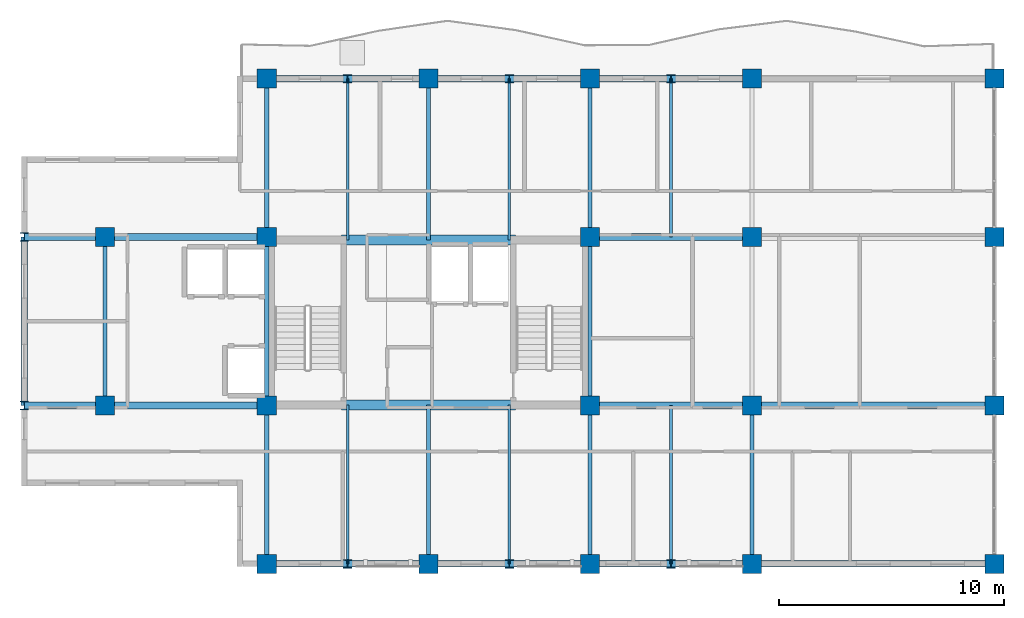
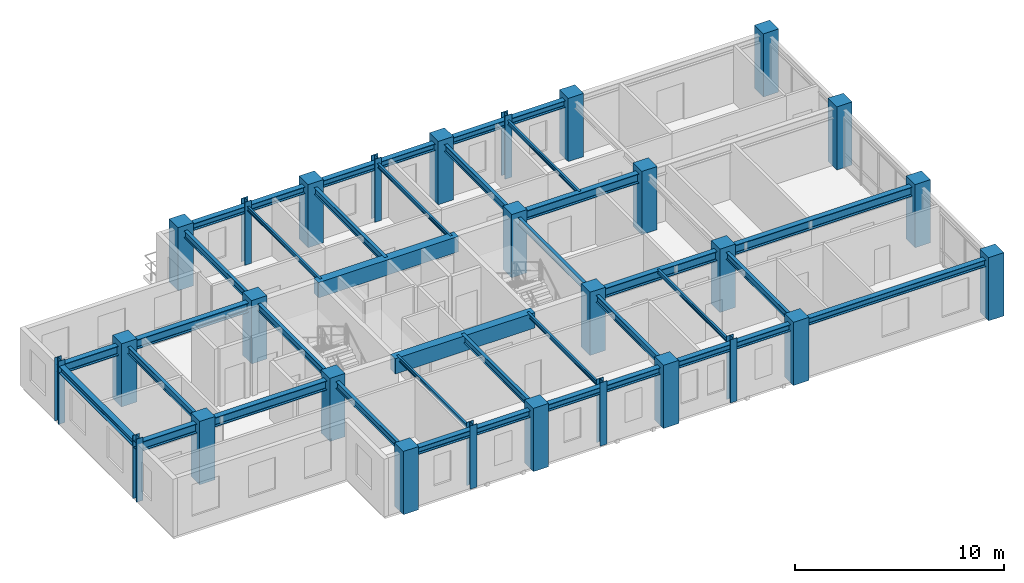
# One storey, part 1 of 10: 39 beams, 28 columns.
"""IFC4 building model written with IfcOpenShell, lengths in metres."""

import ifcopenshell
import ifcopenshell.guid

model = None  # the IFC model being written
_history = None  # IfcOwnerHistory: only IFC2X3 demands one
_inside = {}  # id of a spatial element -> (the spatial element, [elements in it])
_under = {}  # id of a project, library or spatial element -> (it, [spatial elements below it])
_declared = {}  # id of a project -> (the project, [libraries it declares])
_typed = {}  # id of a type object -> (the type object, [elements of that type])
_made_of = {}  # id of a material, layer set ... -> (it, [elements and type objects made of it])


def new_model(schema):
    """Start an empty IFC model of exactly this schema.

    Asked for "IFC4X3", IfcOpenShell would pick the latest addendum, in which some entities
    have other attributes; the version numbers below select the first issue.
    IFC2X3 requires an IfcOwnerHistory on every rooted entity: one is made here for all.
    """
    global model, _history
    if schema == "IFC4X3":
        model = ifcopenshell.file(schema_version=(4, 3, 0, 0))
    else:
        model = ifcopenshell.file(schema=schema)
    _inside.clear()
    _under.clear()
    _declared.clear()
    _typed.clear()
    _made_of.clear()
    _history = None
    if model.schema == "IFC2X3":
        org = make("IfcOrganization", Name="unknown")
        user = make(
            "IfcPersonAndOrganization",
            ThePerson=make("IfcPerson", FamilyName="unknown"),
            TheOrganization=org,
        )
        app = make(
            "IfcApplication",
            ApplicationDeveloper=org,
            Version="unknown",
            ApplicationFullName="unknown",
            ApplicationIdentifier="unknown",
        )
        _history = make(
            "IfcOwnerHistory",
            OwningUser=user,
            OwningApplication=app,
            ChangeAction="ADDED",
            CreationDate=0,
        )
    return model


def make(cls, **values):
    """One entity of the class cls with the attributes given. An attribute that is None is left unset."""
    return model.create_entity(
        cls, **{name: value for name, value in values.items() if value is not None}
    )


def rooted(cls, **values):
    """An entity with a GlobalId (a new one), such as an element, a storey or a relation."""
    return make(cls, GlobalId=ifcopenshell.guid.new(), OwnerHistory=_history, **values)


def si_unit(unit_type, name, prefix=None):
    """IfcSIUnit, for example si_unit("LENGTHUNIT", "METRE", prefix="MILLI")."""
    return make("IfcSIUnit", UnitType=unit_type, Prefix=prefix, Name=name)


def assignment(units):
    """IfcUnitAssignment: the units of a project."""
    return None if units is None else make("IfcUnitAssignment", Units=units)


def point(xyz):
    """IfcCartesianPoint."""
    return None if xyz is None else make("IfcCartesianPoint", Coordinates=xyz)


def direction(xyz):
    """IfcDirection."""
    return None if xyz is None else make("IfcDirection", DirectionRatios=xyz)


def frame(location, z_axis=None, x_axis=None):
    """IfcAxis2Placement3D, a coordinate frame: its origin and axes. An axis left out is left unset."""
    return make(
        "IfcAxis2Placement3D",
        Location=point(location),
        Axis=direction(z_axis),
        RefDirection=direction(x_axis),
    )


def frame_2d(location, x_axis=None):
    """IfcAxis2Placement2D, a coordinate frame in the plane: its origin and x axis."""
    return make(
        "IfcAxis2Placement2D", Location=point(location), RefDirection=direction(x_axis)
    )


def origin():
    """The frame at (0, 0, 0) with its axes left unset."""
    return frame((0.0, 0.0, 0.0))


def origin_2d():
    """The frame at (0, 0) in the plane with its x axis left unset."""
    return frame_2d((0.0, 0.0))


def place(relative_to, where):
    """IfcLocalPlacement: puts the frame where relative to a parent placement (None: the world)."""
    return make(
        "IfcLocalPlacement", PlacementRelTo=relative_to, RelativePlacement=where
    )


def context(
    kind, dimensions, precision=None, world=None, true_north=None, identifier=None
):
    """IfcGeometricRepresentationContext, for example the 3D "Model" context."""
    return make(
        "IfcGeometricRepresentationContext",
        ContextIdentifier=identifier,
        ContextType=kind,
        CoordinateSpaceDimension=dimensions,
        Precision=precision,
        WorldCoordinateSystem=world,
        TrueNorth=true_north,
    )


def subcontext(parent, identifier, kind, view, scale=None):
    """IfcGeometricRepresentationSubContext, for example "Body" below "Model"."""
    return make(
        "IfcGeometricRepresentationSubContext",
        ContextIdentifier=identifier,
        ContextType=kind,
        ParentContext=parent,
        TargetScale=scale,
        TargetView=view,
    )


def project(units=None, contexts=None):
    """IfcProject with its units and contexts."""
    return rooted(
        "IfcProject",
        Name="project",
        RepresentationContexts=contexts,
        UnitsInContext=assignment(units),
    )


def spatial(cls, under=None, at=None, **own):
    """A site, building, storey or space (cls), placed at a placement, below another one or the project."""
    s = rooted(cls, ObjectPlacement=at, **own)
    if under is not None:
        _under.setdefault(under.id(), (under, []))[1].append(s)
    return s


def profile(cls, at=None, kind="AREA", **sizes):
    """A parametric profile (cls). Its sizes go by their IFC names, for example OverallWidth=200.0."""
    return make(cls, ProfileType=kind, Position=at, **sizes)


def rectangle(**sizes):
    """IfcRectangleProfileDef."""
    return profile("IfcRectangleProfileDef", **sizes)


def i_section(**sizes):
    """IfcIShapeProfileDef."""
    return profile("IfcIShapeProfileDef", **sizes)


def extrude(swept, where, along, depth):
    """IfcExtrudedAreaSolid: the profile swept, set in the frame where, extruded along a direction by depth."""
    return make(
        "IfcExtrudedAreaSolid",
        SweptArea=swept,
        Position=where,
        ExtrudedDirection=direction(along),
        Depth=depth,
    )


def shape(context_of_items, identifier, shape_type, items):
    """IfcShapeRepresentation: the items that make up one representation, for example the "Body"."""
    return make(
        "IfcShapeRepresentation",
        ContextOfItems=context_of_items,
        RepresentationIdentifier=identifier,
        RepresentationType=shape_type,
        Items=items,
    )


def source(mapping_origin, context_of_items, identifier, shape_type, items):
    """IfcRepresentationMap: a shape defined once, which mapped items show again and again."""
    return make(
        "IfcRepresentationMap",
        MappingOrigin=mapping_origin,
        MappedRepresentation=shape(context_of_items, identifier, shape_type, items),
    )


def transform(
    local_origin,
    x_axis=None,
    y_axis=None,
    z_axis=None,
    scale=None,
    scale2=None,
    scale3=None,
    uniform=True,
):
    """IfcCartesianTransformationOperator3D, or its non-uniform kind. x_axis, y_axis, z_axis: its Axis1, 2, 3."""
    if uniform:
        return make(
            "IfcCartesianTransformationOperator3D",
            Axis1=direction(x_axis),
            Axis2=direction(y_axis),
            LocalOrigin=point(local_origin),
            Scale=scale,
            Axis3=direction(z_axis),
        )
    return make(
        "IfcCartesianTransformationOperator3DnonUniform",
        Axis1=direction(x_axis),
        Axis2=direction(y_axis),
        LocalOrigin=point(local_origin),
        Scale=scale,
        Axis3=direction(z_axis),
        Scale2=scale2,
        Scale3=scale3,
    )


def mapped(mapping_source, mapping_target):
    """IfcMappedItem: shows the shape of a source again, moved by a transform."""
    return make(
        "IfcMappedItem", MappingSource=mapping_source, MappingTarget=mapping_target
    )


def material(Name=None, Category=None):
    """IfcMaterial."""
    return make("IfcMaterial", Name=Name, Category=Category)


def material_profile(
    of_material, cross_section, Name=None, Category=None, Priority=None
):
    """IfcMaterialProfile: a cross section and its material."""
    return make(
        "IfcMaterialProfile",
        Name=Name,
        Material=of_material,
        Profile=cross_section,
        Priority=Priority,
        Category=Category,
    )


def profile_set(profiles, Name=None, composite=None):
    """IfcMaterialProfileSet."""
    return make(
        "IfcMaterialProfileSet",
        Name=Name,
        MaterialProfiles=profiles,
        CompositeProfile=composite,
    )


def made_of(thing, what):
    """Note that an element or type object is made of a material, layer set ...; save() writes the relation."""
    if what is not None:
        _made_of.setdefault(what.id(), (what, []))[1].append(thing)
    return thing


def type_object(cls, material=None, **own):
    """A type object (cls), such as IfcWallType, which elements share."""
    return made_of(rooted(cls, **own), material)


def element(
    cls,
    number,
    at=None,
    inside=None,
    cuts=None,
    type_object=None,
    material=None,
    context=None,
    identifier="Body",
    shape_type=None,
    held_by="IfcProductDefinitionShape",
    body=None,
    shapes=None,
    **own,
):
    """One element of the class cls, such as IfcWall. Its Tag is "e" and its number.

    at: its placement. inside: the storey or other place that contains it. cuts: it is an
    opening in that element (IfcRelVoidsElement). A single representation is given by context,
    identifier, shape_type and body (its items); several are given by shapes. held_by: the class
    of the entity that holds the representations. save() writes the other relations.
    """
    e = rooted(cls, Tag="e%d" % number, ObjectPlacement=at, **own)
    if body is not None:
        shapes = [shape(context, identifier, shape_type, body)]
    if shapes is not None:
        e.Representation = make(held_by, Representations=shapes)
    if inside is not None:
        _inside.setdefault(inside.id(), (inside, []))[1].append(e)
    if cuts is not None:
        rooted(
            "IfcRelVoidsElement", RelatingBuildingElement=cuts, RelatedOpeningElement=e
        )
    if type_object is not None:
        _typed.setdefault(type_object.id(), (type_object, []))[1].append(e)
    return made_of(e, material)


def aggregate(whole, parts):
    """IfcRelAggregates: a whole, such as a stair, and the parts it consists of."""
    return rooted("IfcRelAggregates", RelatingObject=whole, RelatedObjects=parts)


def save(model, path):
    """Write the relations noted so far, then the file.

    IfcRelAggregates (storeys below a building ...), IfcRelContainedInSpatialStructure (elements
    in a storey), IfcRelDefinesByType, IfcRelAssociatesMaterial and IfcRelDeclares: one each for
    every whole, place, type object, material and project.
    """
    for whole, parts in _under.values():
        aggregate(whole, parts)
    for where, things in _inside.values():
        rooted(
            "IfcRelContainedInSpatialStructure",
            RelatedElements=things,
            RelatingStructure=where,
        )
    for kind, things in _typed.values():
        rooted("IfcRelDefinesByType", RelatedObjects=things, RelatingType=kind)
    for what, things in _made_of.values():
        rooted("IfcRelAssociatesMaterial", RelatedObjects=things, RelatingMaterial=what)
    for by, libraries in _declared.values():
        rooted("IfcRelDeclares", RelatingContext=by, RelatedDefinitions=libraries)
    model.write(path)


model = new_model("IFC4")

# Units and contexts
model_context = context("Model", 3, precision=1e-05, world=origin(), true_north=direction((0.0, 1.0)))
body_context = subcontext(model_context, "Body", "Model", "MODEL_VIEW")
ifc_project = project(units=[si_unit("LENGTHUNIT", "METRE"), si_unit("AREAUNIT", "SQUARE_METRE"), si_unit("VOLUMEUNIT", "CUBIC_METRE"), si_unit("PLANEANGLEUNIT", "RADIAN"), si_unit("MASSUNIT", "GRAM", prefix="KILO")], contexts=[model_context])

# Site, building, storey
site_placement = place(None, origin())
site = spatial("IfcSite", under=ifc_project, at=site_placement, CompositionType="ELEMENT")
building_placement = place(site_placement, origin())
building = spatial("IfcBuilding", under=site, at=building_placement, Name="Kaliganga Portal Commons", CompositionType="ELEMENT")
storey_placement = place(building_placement, frame((0.0, 0.0, 294.300048828125)))
storey = spatial("IfcBuildingStorey", under=building, at=storey_placement, Name="L76", CompositionType="ELEMENT", Elevation=294.300048828125)

# Columns
ifc_material_1 = material(Name="Concrete C50/60", Category="concrete")
ifc_material_profile_1 = material_profile(ifc_material_1, rectangle(XDim=0.85009765625, YDim=0.85009765625, at=origin_2d()), Name="RC 850x850")
ifc_profile_set_1 = profile_set([ifc_material_profile_1], Name="Concrete C50/60")
column_type_1 = type_object("IfcColumnType", Name="COL-MEGA-Z5", PredefinedType="COLUMN", material=ifc_profile_set_1)
shared_shape_1 = source(origin(), body_context, "Body", "SweptSolid", [
    extrude(rectangle(XDim=0.85009765625, YDim=0.85009765625, at=origin_2d()), origin(), (0.0, 0.0, 1.0), 3.699951171875),
])
for number, where, z_axis, x_axis, name in (
    (1, (7.199951171875, 28.64990234375, 0.0), (0.0, 0.0, 1.0), (1.0, 0.0, 0.0), "Column MC-06 L76"),
    (2, (7.199951171875, 36.14990234375, 0.0), (0.0, 0.0, 1.0), (1.0, 0.0, 0.0), "Column MC-06 L76"),
    (3, (14.39990234375, 21.60009765625, 0.0), (0.0, 0.0, 1.0), (1.0, 0.0, 0.0), "Column MC-06 L76"),
    (4, (14.39990234375, 28.64990234375, 0.0), (0.0, 0.0, 1.0), (1.0, 0.0, 0.0), "Column MC-06 L76"),
    (5, (14.39990234375, 36.14990234375, 0.0), (0.0, 0.0, 1.0), (1.0, 0.0, 0.0), "Column MC-06 L76"),
    (6, (14.39990234375, 43.199951171875, 0.0), (0.0, 0.0, 1.0), (1.0, 0.0, 0.0), "Column MC-06 L76"),
    (7, (21.60009765625, 21.60009765625, 0.0), (0.0, 0.0, 1.0), (1.0, 0.0, 0.0), "Column MC-06 L76"),
    (8, (21.60009765625, 43.199951171875, 0.0), (0.0, 0.0, 1.0), (1.0, 0.0, 0.0), "Column MC-06 L76"),
    (9, (28.800048828125, 21.60009765625, 0.0), (0.0, 0.0, 1.0), (1.0, 0.0, 0.0), "Column MC-06 L76"),
    (10, (28.800048828125, 28.64990234375, 0.0), (0.0, 0.0, 1.0), (1.0, 0.0, 0.0), "Column MC-06 L76"),
    (11, (28.800048828125, 36.14990234375, 0.0), (0.0, 0.0, 1.0), (1.0, 0.0, 0.0), "Column MC-06 L76"),
    (12, (28.800048828125, 43.199951171875, 0.0), (0.0, 0.0, 1.0), (1.0, 0.0, 0.0), "Column MC-06 L76"),
    (13, (36.0, 21.60009765625, 0.0), (0.0, 0.0, 1.0), (1.0, 0.0, 0.0), "Column MC-06 L76"),
    (14, (36.0, 43.199951171875, 0.0), (0.0, 0.0, 1.0), (1.0, 0.0, 0.0), "Column MC-06 L76"),
    (15, (36.0, 28.64990234375, 0.0), (0.0, 0.0, 1.0), (1.0, 0.0, 0.0), "Column MC-06 L76"),
    (16, (36.0, 36.14990234375, 0.0), (0.0, 0.0, 1.0), (1.0, 0.0, 0.0), "Column MC-06 L76"),
    (17, (46.800048828125, 21.60009765625, 0.0), (0.0, 0.0, 1.0), (1.0, 0.0, 0.0), "Column MC-06 L76"),
    (18, (46.800048828125, 28.64990234375, 0.0), (0.0, 0.0, 1.0), (1.0, 0.0, 0.0), "Column MC-06 L76"),
    (19, (46.800048828125, 36.14990234375, 0.0), (0.0, 0.0, 1.0), (1.0, 0.0, 0.0), "Column MC-06 L76"),
    (20, (46.800048828125, 43.199951171875, 0.0), (0.0, 0.0, 1.0), (1.0, 0.0, 0.0), "Column MC-06 L76"),
):
    element("IfcColumn", number, at=place(storey_placement, frame(where, z_axis=z_axis, x_axis=x_axis)), inside=storey, type_object=column_type_1, Name=name, PredefinedType="COLUMN", context=body_context, shape_type="MappedRepresentation", body=[
        mapped(shared_shape_1, transform((0.0, 0.0, 0.0), x_axis=(1.0, 0.0, 0.0), y_axis=(0.0, 1.0, 0.0), z_axis=(0.0, 0.0, 1.0), scale=1.0)),
    ])
ifc_material_2 = material(Name="Structural steel S355J2", Category="steel")
ifc_material_profile_2 = material_profile(ifc_material_2, i_section(OverallWidth=0.3740234375, OverallDepth=0.3720703125, WebThickness=0.014892578125, FlangeThickness=0.02587890625, FilletRadius=0.014892578125, at=origin_2d()), Name="HD 360x196")
ifc_profile_set_2 = profile_set([ifc_material_profile_2], Name="Structural steel S355J2 wide-flange")
column_type_2 = type_object("IfcColumnType", Name="COL-TUBE-B5", PredefinedType="COLUMN", material=ifc_profile_set_2)
shared_shape_2 = source(origin(), body_context, "Body", "SweptSolid", [
    extrude(i_section(OverallWidth=0.3740234375, OverallDepth=0.3720703125, WebThickness=0.014892578125, FlangeThickness=0.02587890625, FilletRadius=0.014892578125, at=origin_2d()), origin(), (0.0, 0.0, 1.0), 3.699951171875),
])
for number, where, z_axis, x_axis, name in (
    (21, (3.60009765625, 28.64990234375, 0.0), (0.0, 0.0, 1.0), (1.0, 0.0, 0.0), "Column TC-05 L76"),
    (22, (3.60009765625, 36.14990234375, 0.0), (0.0, 0.0, 1.0), (1.0, 0.0, 0.0), "Column TC-05 L76"),
    (23, (18.0, 21.60009765625, 0.0), (0.0, 0.0, 1.0), (1.0, 0.0, 0.0), "Column TC-05 L76"),
    (24, (18.0, 43.199951171875, 0.0), (0.0, 0.0, 1.0), (1.0, 0.0, 0.0), "Column TC-05 L76"),
    (25, (25.199951171875, 21.60009765625, 0.0), (0.0, 0.0, 1.0), (1.0, 0.0, 0.0), "Column TC-05 L76"),
    (26, (25.199951171875, 43.199951171875, 0.0), (0.0, 0.0, 1.0), (1.0, 0.0, 0.0), "Column TC-05 L76"),
    (27, (32.39990234375, 21.60009765625, 0.0), (0.0, 0.0, 1.0), (1.0, 0.0, 0.0), "Column TC-05 L76"),
    (28, (32.39990234375, 43.199951171875, 0.0), (0.0, 0.0, 1.0), (1.0, 0.0, 0.0), "Column TC-05 L76"),
):
    element("IfcColumn", number, at=place(storey_placement, frame(where, z_axis=z_axis, x_axis=x_axis)), inside=storey, type_object=column_type_2, Name=name, PredefinedType="COLUMN", context=body_context, shape_type="MappedRepresentation", body=[
        mapped(shared_shape_2, transform((0.0, 0.0, 0.0), x_axis=(1.0, 0.0, 0.0), y_axis=(0.0, 1.0, 0.0), z_axis=(0.0, 0.0, 1.0), scale=1.0)),
    ])

# Beams
ifc_material_profile_3 = material_profile(ifc_material_1, rectangle(XDim=0.449951171875, YDim=0.89990234375, at=origin_2d()), Name="RC 450x900")
ifc_profile_set_3 = profile_set([ifc_material_profile_3], Name="Concrete C50/60")
beam_type_1 = type_object("IfcBeamType", Name="BM-CPL-900", PredefinedType="LINTEL", material=ifc_profile_set_3)
shared_shape_3 = source(origin(), body_context, "Body", "SweptSolid", [
    extrude(rectangle(XDim=0.449951171875, YDim=0.89990234375, at=origin_2d()), origin(), (0.0, 0.0, 1.0), 7.739990234375),
])
for number, where, z_axis, x_axis, name in (
    (29, (17.72998046875, 28.675048828125, 2.949951171875), (1.0, 0.0, 0.0), (0.0, 1.0, 0.0), "BM CPL COREA L76 S"),
    (30, (17.72998046875, 36.02490234375, 2.949951171875), (1.0, 0.0, 0.0), (0.0, 1.0, 0.0), "BM CPL COREA L76 N"),
):
    element("IfcBeam", number, at=place(storey_placement, frame(where, z_axis=z_axis, x_axis=x_axis)), inside=storey, type_object=beam_type_1, Name=name, PredefinedType="LINTEL", context=body_context, shape_type="MappedRepresentation", body=[
        mapped(shared_shape_3, transform((0.0, 0.0, 0.0), x_axis=(1.0, 0.0, 0.0), y_axis=(0.0, 1.0, 0.0), z_axis=(0.0, 0.0, 1.0), scale=1.0)),
    ])
ifc_material_profile_4 = material_profile(ifc_material_2, i_section(OverallWidth=0.300048828125, OverallDepth=0.39990234375, WebThickness=0.013427734375, FlangeThickness=0.02392578125, FilletRadius=0.027099609375, at=origin_2d()), Name="HE 400 B")
ifc_profile_set_4 = profile_set([ifc_material_profile_4], Name="Structural steel S355J2 wide-flange")
beam_type_2 = type_object("IfcBeamType", Name="BM-SPAND-400", PredefinedType="SPANDREL", material=ifc_profile_set_4)
shared_shape_4 = source(origin(), body_context, "Body", "SweptSolid", [
    extrude(i_section(OverallWidth=0.300048828125, OverallDepth=0.39990234375, WebThickness=0.013427734375, FlangeThickness=0.02392578125, FilletRadius=0.027099609375, at=origin_2d()), origin(), (0.0, 0.0, 1.0), 3.60009765625),
])
for number, where, z_axis, x_axis, name in (
    (31, (14.39990234375, 43.199951171875, 3.199951171875), (1.0, 0.0, 0.0), (0.0, 1.0, 0.0), "BM SP L76 AN 1"),
    (32, (18.0, 43.199951171875, 3.199951171875), (1.0, 0.0, 0.0), (0.0, 1.0, 0.0), "BM SP L76 AN 2"),
    (33, (25.199951171875, 43.199951171875, 3.199951171875), (1.0, 0.0, 0.0), (0.0, 1.0, 0.0), "BM SP L76 AN 4"),
    (34, (32.39990234375, 43.199951171875, 3.199951171875), (1.0, 0.0, 0.0), (0.0, 1.0, 0.0), "BM SP L76 AN 6"),
    (35, (14.39990234375, 21.60009765625, 3.199951171875), (1.0, 0.0, 0.0), (0.0, 1.0, 0.0), "BM SP L76 AS 1"),
    (36, (18.0, 21.60009765625, 3.199951171875), (1.0, 0.0, 0.0), (0.0, 1.0, 0.0), "BM SP L76 AS 2"),
    (37, (25.199951171875, 21.60009765625, 3.199951171875), (1.0, 0.0, 0.0), (0.0, 1.0, 0.0), "BM SP L76 AS 4"),
    (38, (32.39990234375, 21.60009765625, 3.199951171875), (1.0, 0.0, 0.0), (0.0, 1.0, 0.0), "BM SP L76 AS 6"),
):
    element("IfcBeam", number, at=place(storey_placement, frame(where, z_axis=z_axis, x_axis=x_axis)), inside=storey, type_object=beam_type_2, Name=name, PredefinedType="SPANDREL", context=body_context, shape_type="MappedRepresentation", body=[
        mapped(shared_shape_4, transform((0.0, 0.0, 0.0), x_axis=(1.0, 0.0, 0.0), y_axis=(0.0, 1.0, 0.0), z_axis=(0.0, 0.0, 1.0), scale=1.0)),
    ])
shared_shape_5 = source(origin(), body_context, "Body", "SweptSolid", [
    extrude(i_section(OverallWidth=0.300048828125, OverallDepth=0.39990234375, WebThickness=0.013427734375, FlangeThickness=0.02392578125, FilletRadius=0.027099609375, at=origin_2d()), origin(), (0.0, 0.0, 1.0), 3.599853515625),
])
for number, where, z_axis, x_axis, name in (
    (39, (21.60009765625, 43.199951171875, 3.199951171875), (1.0, 0.0, 0.0), (0.0, 1.0, 0.0), "BM SP L76 AN 3"),
    (40, (28.800048828125, 43.199951171875, 3.199951171875), (1.0, 0.0, 0.0), (0.0, 1.0, 0.0), "BM SP L76 AN 5"),
    (41, (21.60009765625, 21.60009765625, 3.199951171875), (1.0, 0.0, 0.0), (0.0, 1.0, 0.0), "BM SP L76 AS 3"),
    (42, (28.800048828125, 21.60009765625, 3.199951171875), (1.0, 0.0, 0.0), (0.0, 1.0, 0.0), "BM SP L76 AS 5"),
):
    element("IfcBeam", number, at=place(storey_placement, frame(where, z_axis=z_axis, x_axis=x_axis)), inside=storey, type_object=beam_type_2, Name=name, PredefinedType="SPANDREL", context=body_context, shape_type="MappedRepresentation", body=[
        mapped(shared_shape_5, transform((0.0, 0.0, 0.0), x_axis=(1.0, 0.0, 0.0), y_axis=(0.0, 1.0, 0.0), z_axis=(0.0, 0.0, 1.0), scale=1.0)),
    ])
shared_shape_6 = source(origin(), body_context, "Body", "SweptSolid", [
    extrude(i_section(OverallWidth=0.300048828125, OverallDepth=0.39990234375, WebThickness=0.013427734375, FlangeThickness=0.02392578125, FilletRadius=0.027099609375, at=origin_2d()), origin(), (0.0, 0.0, 1.0), 10.800048828125),
])
beam_1_placement = place(storey_placement, frame((36.0, 21.60009765625, 3.199951171875), z_axis=(1.0, 0.0, 0.0), x_axis=(0.0, 1.0, 0.0)))
element("IfcBeam", 43, at=beam_1_placement, inside=storey, type_object=beam_type_2, Name="BM SP L76 AS 7", PredefinedType="SPANDREL", context=body_context, shape_type="MappedRepresentation", body=[
    mapped(shared_shape_6, transform((0.0, 0.0, 0.0), x_axis=(1.0, 0.0, 0.0), y_axis=(0.0, 1.0, 0.0), z_axis=(0.0, 0.0, 1.0), scale=1.0)),
])
ifc_material_profile_5 = material_profile(ifc_material_2, i_section(OverallWidth=0.300048828125, OverallDepth=0.550048828125, WebThickness=0.014892578125, FlangeThickness=0.029052734375, FilletRadius=0.027099609375, at=origin_2d()), Name="HE 550 B")
ifc_profile_set_5 = profile_set([ifc_material_profile_5], Name="Structural steel S355J2 wide-flange")
beam_type_3 = type_object("IfcBeamType", Name="BM-GIRD-550", PredefinedType="USERDEFINED", material=ifc_profile_set_5)
shared_shape_7 = source(origin(), body_context, "Body", "SweptSolid", [
    extrude(i_section(OverallWidth=0.300048828125, OverallDepth=0.550048828125, WebThickness=0.014892578125, FlangeThickness=0.029052734375, FilletRadius=0.027099609375, at=origin_2d()), origin(), (0.0, 0.0, 1.0), 7.199951171875),
])
for number, where, z_axis, x_axis, name in (
    (44, (7.199951171875, 28.64990234375, 3.125), (1.0, 0.0, 0.0), (0.0, 1.0, 0.0), "BM G L76 WAH_S 2"),
    (45, (7.199951171875, 36.14990234375, 3.125), (1.0, 0.0, 0.0), (0.0, 1.0, 0.0), "BM G L76 WAH_N 2"),
    (46, (28.800048828125, 28.64990234375, 3.125), (1.0, 0.0, 0.0), (0.0, 1.0, 0.0), "BM G L76 WAE_S 1"),
    (47, (28.800048828125, 36.14990234375, 3.125), (1.0, 0.0, 0.0), (0.0, 1.0, 0.0), "BM G L76 WAE_N 1"),
):
    element("IfcBeam", number, at=place(storey_placement, frame(where, z_axis=z_axis, x_axis=x_axis)), inside=storey, type_object=beam_type_3, Name=name, ObjectType="GIRDER", PredefinedType="USERDEFINED", context=body_context, shape_type="MappedRepresentation", body=[
        mapped(shared_shape_7, transform((0.0, 0.0, 0.0), x_axis=(1.0, 0.0, 0.0), y_axis=(0.0, 1.0, 0.0), z_axis=(0.0, 0.0, 1.0), scale=1.0)),
    ])
shared_shape_8 = source(origin(), body_context, "Body", "SweptSolid", [
    extrude(i_section(OverallWidth=0.300048828125, OverallDepth=0.550048828125, WebThickness=0.014892578125, FlangeThickness=0.029052734375, FilletRadius=0.027099609375, at=origin_2d()), origin(), (0.0, 0.0, 1.0), 10.800048828125),
])
beam_2_placement = place(storey_placement, frame((36.0, 28.64990234375, 3.125), z_axis=(1.0, 0.0, 0.0), x_axis=(0.0, 1.0, 0.0)))
element("IfcBeam", 48, at=beam_2_placement, inside=storey, type_object=beam_type_3, Name="BM G L76 WAE_S 2", ObjectType="GIRDER", PredefinedType="USERDEFINED", context=body_context, shape_type="MappedRepresentation", body=[
    mapped(shared_shape_8, transform((0.0, 0.0, 0.0), x_axis=(1.0, 0.0, 0.0), y_axis=(0.0, 1.0, 0.0), z_axis=(0.0, 0.0, 1.0), scale=1.0)),
])
shared_shape_9 = source(origin(), body_context, "Body", "SweptSolid", [
    extrude(i_section(OverallWidth=0.300048828125, OverallDepth=0.550048828125, WebThickness=0.014892578125, FlangeThickness=0.029052734375, FilletRadius=0.027099609375, at=origin_2d()), origin(), (0.0, 0.0, 1.0), 3.599853515625),
])
for number, where, z_axis, x_axis, name in (
    (49, (3.60009765625, 28.64990234375, 3.125), (1.0, 0.0, 0.0), (0.0, 1.0, 0.0), "BM G L76 WAH_S 1"),
    (50, (3.60009765625, 36.14990234375, 3.125), (1.0, 0.0, 0.0), (0.0, 1.0, 0.0), "BM G L76 WAH_N 1"),
):
    element("IfcBeam", number, at=place(storey_placement, frame(where, z_axis=z_axis, x_axis=x_axis)), inside=storey, type_object=beam_type_3, Name=name, ObjectType="GIRDER", PredefinedType="USERDEFINED", context=body_context, shape_type="MappedRepresentation", body=[
        mapped(shared_shape_9, transform((0.0, 0.0, 0.0), x_axis=(1.0, 0.0, 0.0), y_axis=(0.0, 1.0, 0.0), z_axis=(0.0, 0.0, 1.0), scale=1.0)),
    ])
shared_shape_10 = source(origin(), body_context, "Body", "SweptSolid", [
    extrude(i_section(OverallWidth=0.300048828125, OverallDepth=0.39990234375, WebThickness=0.013427734375, FlangeThickness=0.02392578125, FilletRadius=0.027099609375, at=origin_2d()), origin(), (0.0, 0.0, 1.0), 7.5),
])
beam_3_placement = place(storey_placement, frame((3.60009765625, 28.64990234375, 3.199951171875), z_axis=(0.0, 1.0, 0.0), x_axis=(-1.0, 0.0, 0.0)))
element("IfcBeam", 51, at=beam_3_placement, inside=storey, type_object=beam_type_2, Name="BM SP L76 AW", PredefinedType="SPANDREL", context=body_context, shape_type="MappedRepresentation", body=[
    mapped(shared_shape_10, transform((0.0, 0.0, 0.0), x_axis=(1.0, 0.0, 0.0), y_axis=(0.0, 1.0, 0.0), z_axis=(0.0, 0.0, 1.0), scale=1.0)),
])
ifc_material_profile_6 = material_profile(ifc_material_2, i_section(OverallWidth=0.179931640625, OverallDepth=0.39990234375, WebThickness=0.008544921875, FlangeThickness=0.013427734375, FilletRadius=0.02099609375, at=origin_2d()), Name="IPE 400")
ifc_profile_set_6 = profile_set([ifc_material_profile_6], Name="Structural steel S355J2 wide-flange")
beam_type_4 = type_object("IfcBeamType", Name="BM-FLR-400", PredefinedType="BEAM", material=ifc_profile_set_6)
shared_shape_11 = source(origin(), body_context, "Body", "SweptSolid", [
    extrude(i_section(OverallWidth=0.179931640625, OverallDepth=0.39990234375, WebThickness=0.008544921875, FlangeThickness=0.013427734375, FilletRadius=0.02099609375, at=origin_2d()), origin(), (0.0, 0.0, 1.0), 7.5),
])
for number, where, z_axis, x_axis, name in (
    (52, (7.199951171875, 28.64990234375, 3.199951171875), (0.0, 1.0, 0.0), (-1.0, 0.0, 0.0), "BM G L76 AW72"),
    (53, (14.39990234375, 28.64990234375, 3.199951171875), (0.0, 1.0, 0.0), (-1.0, 0.0, 0.0), "BM G L76 AM144"),
    (54, (28.800048828125, 28.64990234375, 3.199951171875), (0.0, 1.0, 0.0), (-1.0, 0.0, 0.0), "BM G L76 AM288"),
):
    element("IfcBeam", number, at=place(storey_placement, frame(where, z_axis=z_axis, x_axis=x_axis)), inside=storey, type_object=beam_type_4, Name=name, PredefinedType="BEAM", context=body_context, shape_type="MappedRepresentation", body=[
        mapped(shared_shape_11, transform((0.0, 0.0, 0.0), x_axis=(1.0, 0.0, 0.0), y_axis=(0.0, 1.0, 0.0), z_axis=(0.0, 0.0, 1.0), scale=1.0)),
    ])
shared_shape_12 = source(origin(), body_context, "Body", "SweptSolid", [
    extrude(i_section(OverallWidth=0.179931640625, OverallDepth=0.39990234375, WebThickness=0.008544921875, FlangeThickness=0.013427734375, FilletRadius=0.02099609375, at=origin_2d()), origin(), (0.0, 0.0, 1.0), 7.050048828125),
])
for number, where, z_axis, x_axis, name in (
    (55, (14.39990234375, 36.14990234375, 3.199951171875), (0.0, 1.0, 0.0), (-1.0, 0.0, 0.0), "BM G L76 AN144"),
    (56, (28.800048828125, 36.14990234375, 3.199951171875), (0.0, 1.0, 0.0), (-1.0, 0.0, 0.0), "BM G L76 AN288"),
):
    element("IfcBeam", number, at=place(storey_placement, frame(where, z_axis=z_axis, x_axis=x_axis)), inside=storey, type_object=beam_type_4, Name=name, PredefinedType="BEAM", context=body_context, shape_type="MappedRepresentation", body=[
        mapped(shared_shape_12, transform((0.0, 0.0, 0.0), x_axis=(1.0, 0.0, 0.0), y_axis=(0.0, 1.0, 0.0), z_axis=(0.0, 0.0, 1.0), scale=1.0)),
    ])
shared_shape_13 = source(origin(), body_context, "Body", "SweptSolid", [
    extrude(i_section(OverallWidth=0.179931640625, OverallDepth=0.39990234375, WebThickness=0.008544921875, FlangeThickness=0.013427734375, FilletRadius=0.02099609375, at=origin_2d()), origin(), (0.0, 0.0, 1.0), 7.0498046875),
])
for number, where, z_axis, x_axis, name in (
    (57, (14.39990234375, 21.60009765625, 3.199951171875), (0.0, 1.0, 0.0), (-1.0, 0.0, 0.0), "BM G L76 AS144"),
    (58, (28.800048828125, 21.60009765625, 3.199951171875), (0.0, 1.0, 0.0), (-1.0, 0.0, 0.0), "BM G L76 AS288"),
    (59, (36.0, 21.60009765625, 3.199951171875), (0.0, 1.0, 0.0), (-1.0, 0.0, 0.0), "BM G L76 AS360"),
):
    element("IfcBeam", number, at=place(storey_placement, frame(where, z_axis=z_axis, x_axis=x_axis)), inside=storey, type_object=beam_type_4, Name=name, PredefinedType="BEAM", context=body_context, shape_type="MappedRepresentation", body=[
        mapped(shared_shape_13, transform((0.0, 0.0, 0.0), x_axis=(1.0, 0.0, 0.0), y_axis=(0.0, 1.0, 0.0), z_axis=(0.0, 0.0, 1.0), scale=1.0)),
    ])
shared_shape_14 = source(origin(), body_context, "Body", "SweptSolid", [
    extrude(i_section(OverallWidth=0.179931640625, OverallDepth=0.39990234375, WebThickness=0.008544921875, FlangeThickness=0.013427734375, FilletRadius=0.02099609375, at=origin_2d()), origin(), (0.0, 0.0, 1.0), 7.175048828125),
])
beam_4_placement = place(storey_placement, frame((21.60009765625, 36.02490234375, 3.199951171875), z_axis=(0.0, 1.0, 0.0), x_axis=(-1.0, 0.0, 0.0)))
element("IfcBeam", 60, at=beam_4_placement, inside=storey, type_object=beam_type_4, Name="BM G L76 AN216", PredefinedType="BEAM", context=body_context, shape_type="MappedRepresentation", body=[
    mapped(shared_shape_14, transform((0.0, 0.0, 0.0), x_axis=(1.0, 0.0, 0.0), y_axis=(0.0, 1.0, 0.0), z_axis=(0.0, 0.0, 1.0), scale=1.0)),
])
shared_shape_15 = source(origin(), body_context, "Body", "SweptSolid", [
    extrude(i_section(OverallWidth=0.179931640625, OverallDepth=0.39990234375, WebThickness=0.008544921875, FlangeThickness=0.013427734375, FilletRadius=0.02099609375, at=origin_2d()), origin(), (0.0, 0.0, 1.0), 7.074951171875),
])
beam_5_placement = place(storey_placement, frame((21.60009765625, 21.60009765625, 3.199951171875), z_axis=(0.0, 1.0, 0.0), x_axis=(-1.0, 0.0, 0.0)))
element("IfcBeam", 61, at=beam_5_placement, inside=storey, type_object=beam_type_4, Name="BM G L76 AS216", PredefinedType="BEAM", context=body_context, shape_type="MappedRepresentation", body=[
    mapped(shared_shape_15, transform((0.0, 0.0, 0.0), x_axis=(1.0, 0.0, 0.0), y_axis=(0.0, 1.0, 0.0), z_axis=(0.0, 0.0, 1.0), scale=1.0)),
])
ifc_material_profile_7 = material_profile(ifc_material_2, i_section(OverallWidth=0.1201171875, OverallDepth=0.239990234375, WebThickness=0.006103515625, FlangeThickness=0.009765625, FilletRadius=0.014892578125, at=origin_2d()), Name="IPE 240")
ifc_profile_set_7 = profile_set([ifc_material_profile_7], Name="Structural steel S355J2 wide-flange")
beam_type_5 = type_object("IfcBeamType", Name="BM-JST-240", PredefinedType="JOIST", material=ifc_profile_set_7)
shared_shape_16 = source(origin(), body_context, "Body", "SweptSolid", [
    extrude(i_section(OverallWidth=0.1201171875, OverallDepth=0.239990234375, WebThickness=0.006103515625, FlangeThickness=0.009765625, FilletRadius=0.014892578125, at=origin_2d()), origin(), (0.0, 0.0, 1.0), 7.175048828125),
])
for number, where, z_axis, x_axis, name in (
    (62, (18.0, 36.02490234375, 3.280029296875), (0.0, 1.0, 0.0), (-1.0, 0.0, 0.0), "BM G L76 AN180"),
    (63, (25.199951171875, 36.02490234375, 3.280029296875), (0.0, 1.0, 0.0), (-1.0, 0.0, 0.0), "BM G L76 AN252"),
):
    element("IfcBeam", number, at=place(storey_placement, frame(where, z_axis=z_axis, x_axis=x_axis)), inside=storey, type_object=beam_type_5, Name=name, PredefinedType="JOIST", context=body_context, shape_type="MappedRepresentation", body=[
        mapped(shared_shape_16, transform((0.0, 0.0, 0.0), x_axis=(1.0, 0.0, 0.0), y_axis=(0.0, 1.0, 0.0), z_axis=(0.0, 0.0, 1.0), scale=1.0)),
    ])
shared_shape_17 = source(origin(), body_context, "Body", "SweptSolid", [
    extrude(i_section(OverallWidth=0.1201171875, OverallDepth=0.239990234375, WebThickness=0.006103515625, FlangeThickness=0.009765625, FilletRadius=0.014892578125, at=origin_2d()), origin(), (0.0, 0.0, 1.0), 7.074951171875),
])
for number, where, z_axis, x_axis, name in (
    (64, (18.0, 21.60009765625, 3.280029296875), (0.0, 1.0, 0.0), (-1.0, 0.0, 0.0), "BM G L76 AS180"),
    (65, (25.199951171875, 21.60009765625, 3.280029296875), (0.0, 1.0, 0.0), (-1.0, 0.0, 0.0), "BM G L76 AS252"),
):
    element("IfcBeam", number, at=place(storey_placement, frame(where, z_axis=z_axis, x_axis=x_axis)), inside=storey, type_object=beam_type_5, Name=name, PredefinedType="JOIST", context=body_context, shape_type="MappedRepresentation", body=[
        mapped(shared_shape_17, transform((0.0, 0.0, 0.0), x_axis=(1.0, 0.0, 0.0), y_axis=(0.0, 1.0, 0.0), z_axis=(0.0, 0.0, 1.0), scale=1.0)),
    ])
shared_shape_18 = source(origin(), body_context, "Body", "SweptSolid", [
    extrude(i_section(OverallWidth=0.1201171875, OverallDepth=0.239990234375, WebThickness=0.006103515625, FlangeThickness=0.009765625, FilletRadius=0.014892578125, at=origin_2d()), origin(), (0.0, 0.0, 1.0), 7.050048828125),
])
beam_6_placement = place(storey_placement, frame((32.39990234375, 36.14990234375, 3.280029296875), z_axis=(0.0, 1.0, 0.0), x_axis=(-1.0, 0.0, 0.0)))
element("IfcBeam", 66, at=beam_6_placement, inside=storey, type_object=beam_type_5, Name="BM G L76 AN324", PredefinedType="JOIST", context=body_context, shape_type="MappedRepresentation", body=[
    mapped(shared_shape_18, transform((0.0, 0.0, 0.0), x_axis=(1.0, 0.0, 0.0), y_axis=(0.0, 1.0, 0.0), z_axis=(0.0, 0.0, 1.0), scale=1.0)),
])
shared_shape_19 = source(origin(), body_context, "Body", "SweptSolid", [
    extrude(i_section(OverallWidth=0.1201171875, OverallDepth=0.239990234375, WebThickness=0.006103515625, FlangeThickness=0.009765625, FilletRadius=0.014892578125, at=origin_2d()), origin(), (0.0, 0.0, 1.0), 7.0498046875),
])
beam_7_placement = place(storey_placement, frame((32.39990234375, 21.60009765625, 3.280029296875), z_axis=(0.0, 1.0, 0.0), x_axis=(-1.0, 0.0, 0.0)))
element("IfcBeam", 67, at=beam_7_placement, inside=storey, type_object=beam_type_5, Name="BM G L76 AS324", PredefinedType="JOIST", context=body_context, shape_type="MappedRepresentation", body=[
    mapped(shared_shape_19, transform((0.0, 0.0, 0.0), x_axis=(1.0, 0.0, 0.0), y_axis=(0.0, 1.0, 0.0), z_axis=(0.0, 0.0, 1.0), scale=1.0)),
])

save(model, "model.ifc")
